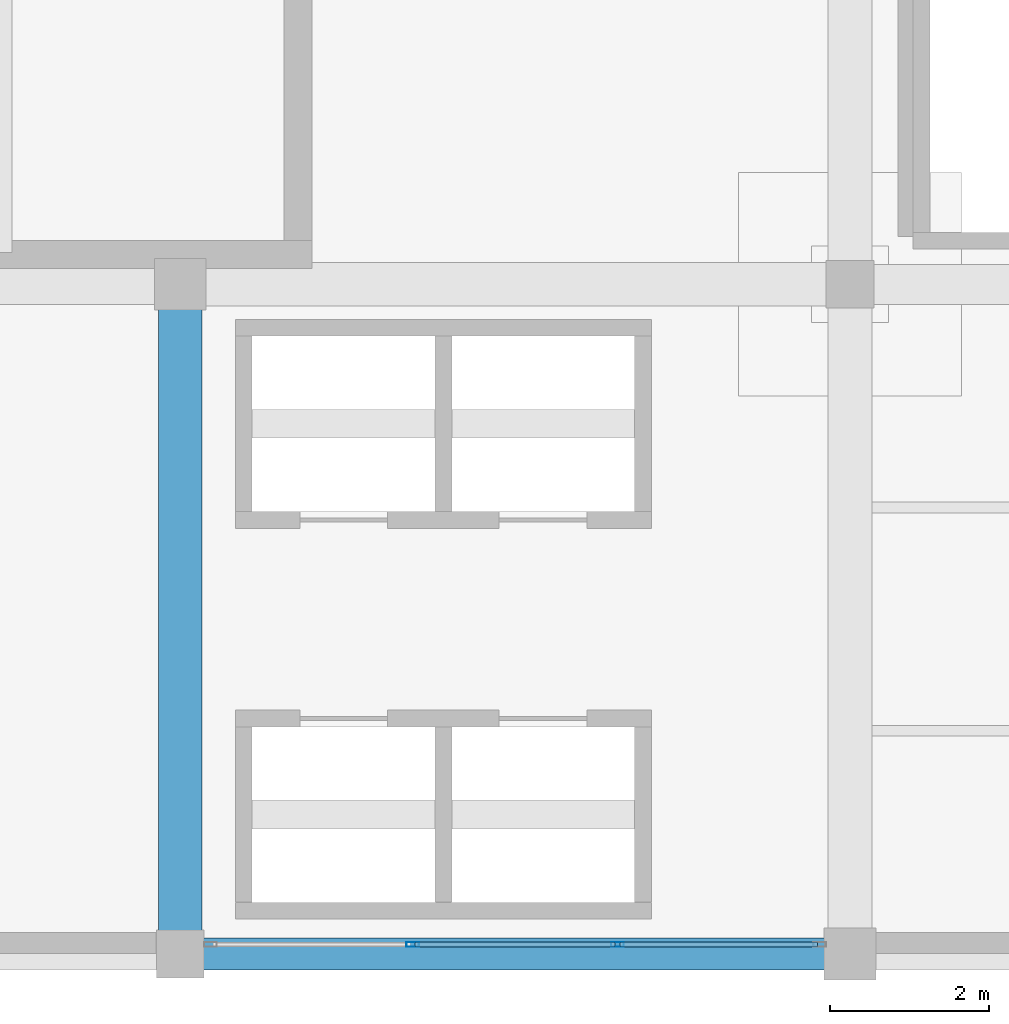
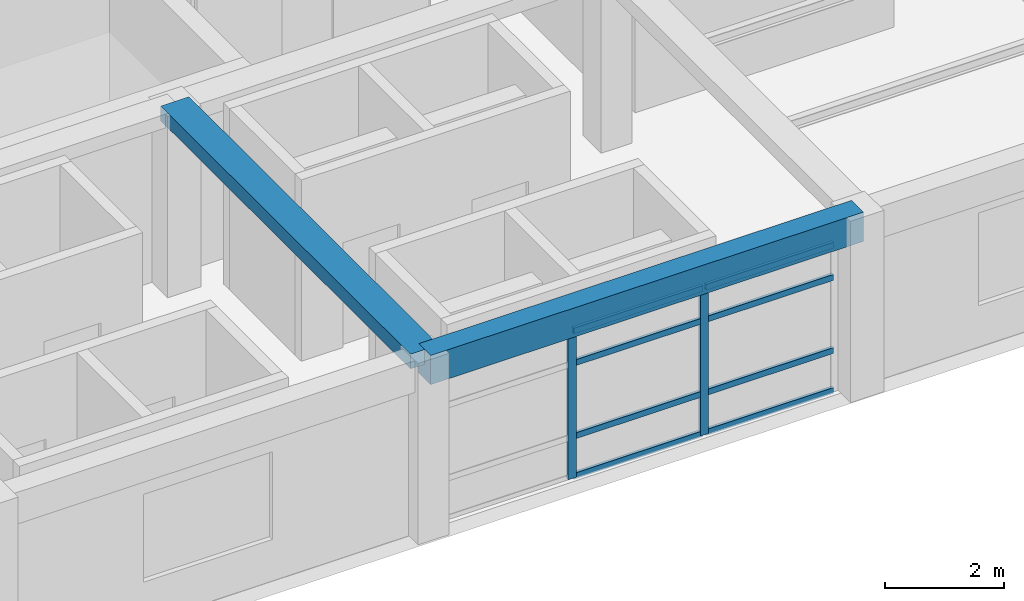
# One storey, part 3 of 26: 10 members, 2 beams, 1 element without a shape of its own.
"""IFC4 building model written with IfcOpenShell, lengths in metres."""

from ifc_helpers import new_model, si_unit, direction, frame, origin, origin_2d, place, context, subcontext, project, spatial, rectangle, hollow_rectangle, extrude, material, material_profile, profile_set, type_object, element, aggregate, save


model = new_model("IFC4")

# Units and contexts
model_context = context("Model", 3, precision=1e-05, world=origin(), true_north=direction((0.0, 1.0)))
body_context = subcontext(model_context, "Body", "Model", "MODEL_VIEW")
ifc_project = project(units=[si_unit("LENGTHUNIT", "METRE"), si_unit("AREAUNIT", "SQUARE_METRE"), si_unit("VOLUMEUNIT", "CUBIC_METRE"), si_unit("PLANEANGLEUNIT", "RADIAN"), si_unit("MASSUNIT", "GRAM", prefix="KILO")], contexts=[model_context])

# Site, building, storey
site_placement = place(None, origin())
site = spatial("IfcSite", under=ifc_project, at=site_placement, CompositionType="ELEMENT")
building_placement = place(site_placement, origin())
building = spatial("IfcBuilding", under=site, at=building_placement, Name="Almacenes y Pasaje Nevantli", CompositionType="ELEMENT")
storey_placement = place(building_placement, frame((0.0, 0.0, 46.699951171875)))
storey = spatial("IfcBuildingStorey", under=building, at=storey_placement, Name="L11", CompositionType="ELEMENT", Elevation=46.699951171875)

# Beams
ifc_material_1 = material(Name="Concrete C35/45", Category="concrete")
ifc_material_profile_1 = material_profile(ifc_material_1, rectangle(XDim=0.39990234375, YDim=0.60009765625, at=origin_2d()), Name="RC-BM-400x600")
ifc_profile_set_1 = profile_set([ifc_material_profile_1], Name="Concrete C35/45")
beam_type_1 = type_object("IfcBeamType", Name="BM-RC-400x600", PredefinedType="SPANDREL", material=ifc_profile_set_1)
beam_1_placement = place(storey_placement, frame((126.0, 67.199951171875, 3.420166015625), z_axis=(1.0, 0.0, 0.0), x_axis=(0.0, 1.0, 0.0)))
element("IfcBeam", 1, at=beam_1_placement, inside=storey, type_object=beam_type_1, Name="L11 East-West Reinforced Concrete Beam #3845", PredefinedType="SPANDREL", context=body_context, shape_type="SweptSolid", body=[
    extrude(rectangle(XDim=0.39990234375, YDim=0.60009765625, at=origin_2d()), origin(), (0.0, 0.0, 1.0), 8.39990234375),
])
ifc_material_2 = material(Name="Concrete C35/45", Category="concrete")
ifc_material_profile_2 = material_profile(ifc_material_2, rectangle(XDim=0.550048828125, YDim=0.300048828125, at=origin_2d()), Name="RC-BM-550x300")
ifc_profile_set_2 = profile_set([ifc_material_profile_2], Name="Concrete C35/45")
beam_type_2 = type_object("IfcBeamType", Name="BM-RC-550x300", PredefinedType="BEAM", material=ifc_profile_set_2)
beam_2_placement = place(storey_placement, frame((126.0, 67.199951171875, 3.570068359375), z_axis=(0.0, 1.0, 0.0), x_axis=(-1.0, 0.0, 0.0)))
element("IfcBeam", 2, at=beam_2_placement, inside=storey, type_object=beam_type_2, Name="L11 North-South Reinforced Concrete Beam #3873", PredefinedType="BEAM", context=body_context, shape_type="SweptSolid", body=[
    extrude(rectangle(XDim=0.550048828125, YDim=0.300048828125, at=origin_2d()), origin(), (0.0, 0.0, 1.0), 8.400146484375),
])

# Curtain wall, members
ifc_material_3 = material(Name="Thermally Broken Aluminium and Low-E Glass", Category="aluminium")
curtain_wall_type = type_object("IfcCurtainWallType", Name="CW-UNIT-TOWER", PredefinedType="USERDEFINED", material=ifc_material_3)
curtain_wall_placement = place(storey_placement, origin())
curtain_wall = element("IfcCurtainWall", 3, at=curtain_wall_placement, inside=storey, type_object=curtain_wall_type, Name="L11 Tower South Unitized Curtain Wall Bay 16", ObjectType="UNITIZED CURTAIN WALL", PredefinedType="USERDEFINED")
ifc_material_4 = material(Name="Thermally Broken Anodized Aluminium", Category="aluminium")
ifc_material_profile_3 = material_profile(ifc_material_4, hollow_rectangle(XDim=0.06005859375, YDim=0.159912109375, WallThickness=0.00390625, at=origin_2d()), Name="ALU-MUL-60x160")
ifc_profile_set_3 = profile_set([ifc_material_profile_3], Name="Thermally Broken Anodized Aluminium")
member_type_1 = type_object("IfcMemberType", Name="CW-MUL-180", PredefinedType="MULLION", material=ifc_profile_set_3)
member_1_placement = place(storey_placement, frame((128.916748046875, 67.320068359375, 0.0), z_axis=(0.0, 0.0, 1.0), x_axis=(0.0, 1.0, 0.0)))
member_1 = element("IfcMember", 4, at=member_1_placement, type_object=member_type_1, Name="CW-L11-151 mullion 2", PredefinedType="MULLION", context=body_context, shape_type="SweptSolid", body=[
    extrude(hollow_rectangle(XDim=0.06005859375, YDim=0.159912109375, WallThickness=0.00390625, at=origin_2d()), origin(), (0.0, 0.0, 1.0), 3.0400390625),
])
member_2_placement = place(storey_placement, frame((131.4833984375, 67.320068359375, 0.0), z_axis=(0.0, 0.0, 1.0), x_axis=(0.0, 1.0, 0.0)))
member_2 = element("IfcMember", 5, at=member_2_placement, type_object=member_type_1, Name="CW-L11-151 mullion 3", PredefinedType="MULLION", context=body_context, shape_type="SweptSolid", body=[
    extrude(hollow_rectangle(XDim=0.06005859375, YDim=0.159912109375, WallThickness=0.00390625, at=origin_2d()), origin(), (0.0, 0.0, 1.0), 3.0400390625),
])
ifc_material_5 = material(Name="Thermally Broken Anodized Aluminium", Category="aluminium")
ifc_material_profile_4 = material_profile(ifc_material_5, hollow_rectangle(XDim=0.06005859375, YDim=0.1201171875, WallThickness=0.00341796875, at=origin_2d()), Name="ALU-TRN-60x120")
ifc_profile_set_4 = profile_set([ifc_material_profile_4], Name="Thermally Broken Anodized Aluminium")
member_type_2 = type_object("IfcMemberType", Name="CW-TRN-130", PredefinedType="USERDEFINED", material=ifc_profile_set_4)
member_3_placement = place(storey_placement, frame((128.94677734375, 67.320068359375, 0.030029296875), z_axis=(1.0, 0.0, 0.0), x_axis=(0.0, 1.0, 0.0)))
member_3 = element("IfcMember", 6, at=member_3_placement, type_object=member_type_2, Name="CW-L11-151 transom 2.1", ObjectType="TRANSOM", PredefinedType="USERDEFINED", context=body_context, shape_type="SweptSolid", body=[
    extrude(hollow_rectangle(XDim=0.06005859375, YDim=0.1201171875, WallThickness=0.00341796875, at=origin_2d()), origin(), (0.0, 0.0, 1.0), 2.506591796875),
])
member_4_placement = place(storey_placement, frame((128.94677734375, 67.320068359375, 0.85009765625), z_axis=(1.0, 0.0, 0.0), x_axis=(0.0, 1.0, 0.0)))
member_4 = element("IfcMember", 7, at=member_4_placement, type_object=member_type_2, Name="CW-L11-151 transom 2.2", ObjectType="TRANSOM", PredefinedType="USERDEFINED", context=body_context, shape_type="SweptSolid", body=[
    extrude(hollow_rectangle(XDim=0.06005859375, YDim=0.1201171875, WallThickness=0.00341796875, at=origin_2d()), origin(), (0.0, 0.0, 1.0), 2.506591796875),
])
member_5_placement = place(storey_placement, frame((128.94677734375, 67.320068359375, 2.35009765625), z_axis=(1.0, 0.0, 0.0), x_axis=(0.0, 1.0, 0.0)))
member_5 = element("IfcMember", 8, at=member_5_placement, type_object=member_type_2, Name="CW-L11-151 transom 2.3", ObjectType="TRANSOM", PredefinedType="USERDEFINED", context=body_context, shape_type="SweptSolid", body=[
    extrude(hollow_rectangle(XDim=0.06005859375, YDim=0.1201171875, WallThickness=0.00341796875, at=origin_2d()), origin(), (0.0, 0.0, 1.0), 2.506591796875),
])
member_6_placement = place(storey_placement, frame((128.94677734375, 67.320068359375, 3.010009765625), z_axis=(1.0, 0.0, 0.0), x_axis=(0.0, 1.0, 0.0)))
member_6 = element("IfcMember", 9, at=member_6_placement, type_object=member_type_2, Name="CW-L11-151 transom 2.4", ObjectType="TRANSOM", PredefinedType="USERDEFINED", context=body_context, shape_type="SweptSolid", body=[
    extrude(hollow_rectangle(XDim=0.06005859375, YDim=0.1201171875, WallThickness=0.00341796875, at=origin_2d()), origin(), (0.0, 0.0, 1.0), 2.506591796875),
])
member_7_placement = place(storey_placement, frame((131.513427734375, 67.320068359375, 0.030029296875), z_axis=(1.0, 0.0, 0.0), x_axis=(0.0, 1.0, 0.0)))
member_7 = element("IfcMember", 10, at=member_7_placement, type_object=member_type_2, Name="CW-L11-151 transom 3.1", ObjectType="TRANSOM", PredefinedType="USERDEFINED", context=body_context, shape_type="SweptSolid", body=[
    extrude(hollow_rectangle(XDim=0.06005859375, YDim=0.1201171875, WallThickness=0.00341796875, at=origin_2d()), origin(), (0.0, 0.0, 1.0), 2.4765625),
])
member_8_placement = place(storey_placement, frame((131.513427734375, 67.320068359375, 0.85009765625), z_axis=(1.0, 0.0, 0.0), x_axis=(0.0, 1.0, 0.0)))
member_8 = element("IfcMember", 11, at=member_8_placement, type_object=member_type_2, Name="CW-L11-151 transom 3.2", ObjectType="TRANSOM", PredefinedType="USERDEFINED", context=body_context, shape_type="SweptSolid", body=[
    extrude(hollow_rectangle(XDim=0.06005859375, YDim=0.1201171875, WallThickness=0.00341796875, at=origin_2d()), origin(), (0.0, 0.0, 1.0), 2.4765625),
])
member_9_placement = place(storey_placement, frame((131.513427734375, 67.320068359375, 2.35009765625), z_axis=(1.0, 0.0, 0.0), x_axis=(0.0, 1.0, 0.0)))
member_9 = element("IfcMember", 12, at=member_9_placement, type_object=member_type_2, Name="CW-L11-151 transom 3.3", ObjectType="TRANSOM", PredefinedType="USERDEFINED", context=body_context, shape_type="SweptSolid", body=[
    extrude(hollow_rectangle(XDim=0.06005859375, YDim=0.1201171875, WallThickness=0.00341796875, at=origin_2d()), origin(), (0.0, 0.0, 1.0), 2.4765625),
])
member_10_placement = place(storey_placement, frame((131.513427734375, 67.320068359375, 3.010009765625), z_axis=(1.0, 0.0, 0.0), x_axis=(0.0, 1.0, 0.0)))
member_10 = element("IfcMember", 13, at=member_10_placement, type_object=member_type_2, Name="CW-L11-151 transom 3.4", ObjectType="TRANSOM", PredefinedType="USERDEFINED", context=body_context, shape_type="SweptSolid", body=[
    extrude(hollow_rectangle(XDim=0.06005859375, YDim=0.1201171875, WallThickness=0.00341796875, at=origin_2d()), origin(), (0.0, 0.0, 1.0), 2.4765625),
])
aggregate(curtain_wall, [member_1, member_2, member_3, member_4, member_5, member_6, member_7, member_8, member_9, member_10])

save(model, "model.ifc")
